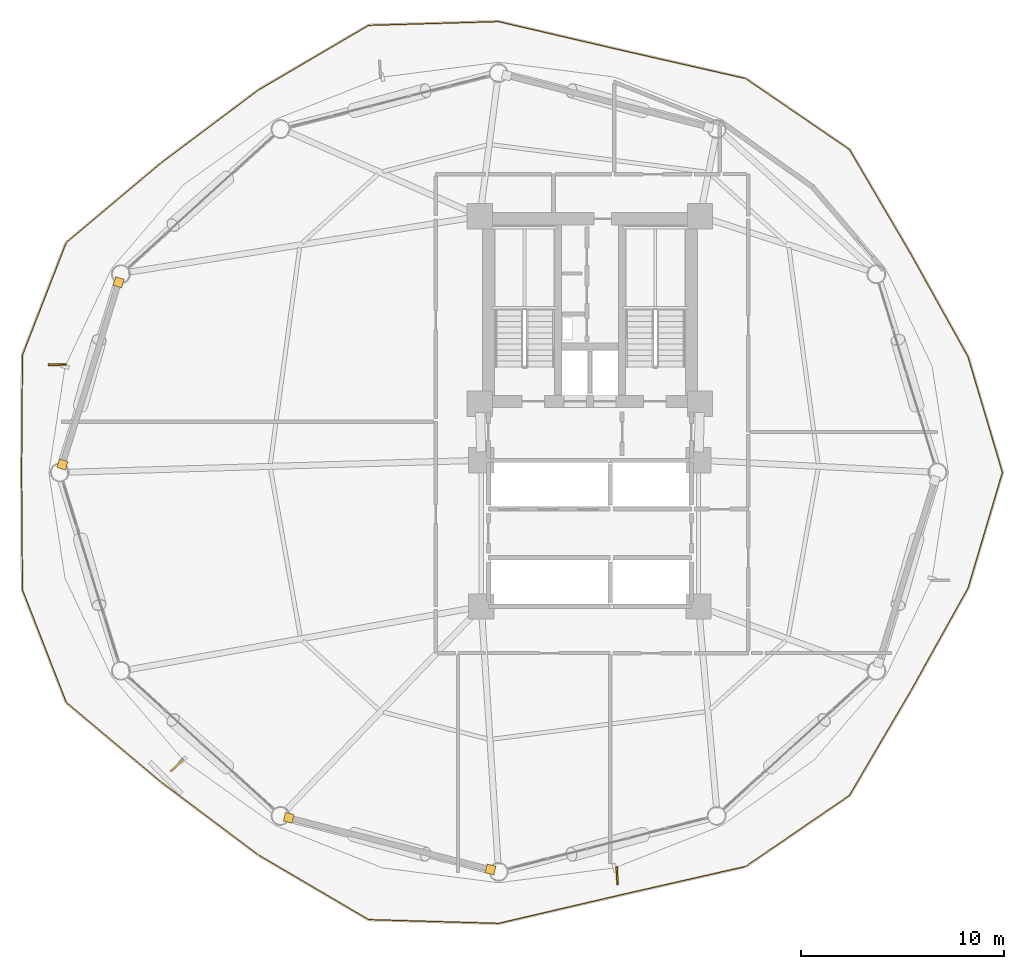
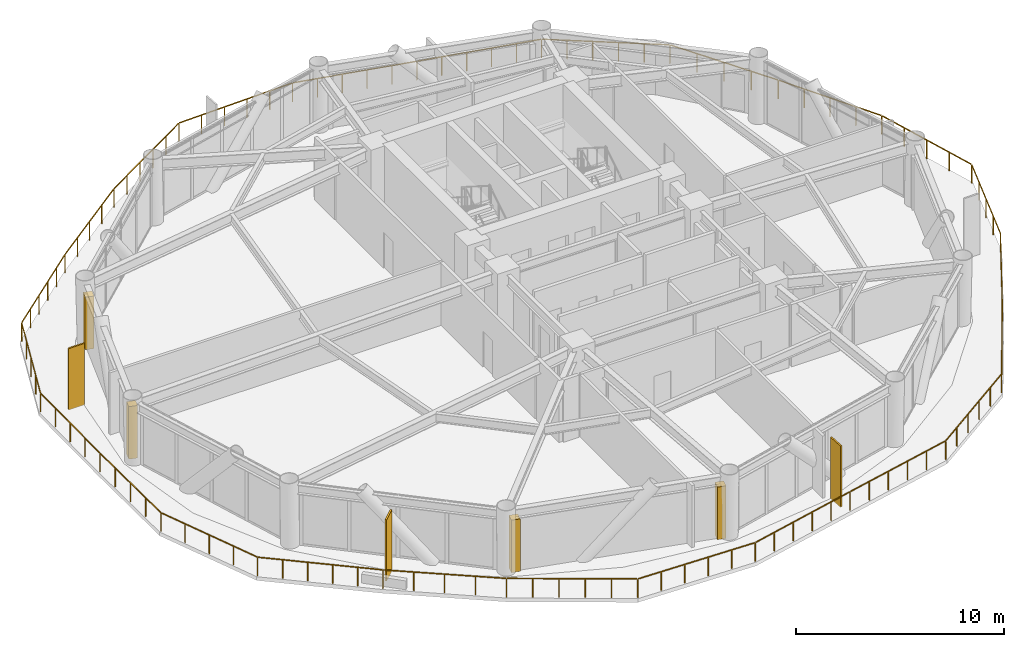
# One storey, part 20 of 22: 4 coverings, 3 shading devices, 1 railing.
"""IFC4 building model written with IfcOpenShell, lengths in metres."""

from ifc_helpers import new_model, si_unit, direction, frame, origin, origin_2d, place, context, subcontext, project, spatial, rectangle, extrude, source, transform, mapped, material, layer, layer_set, type_object, type_shapes, element, save


model = new_model("IFC4")

# Units and contexts
model_context = context("Model", 3, precision=1e-05, world=origin(), true_north=direction((0.0, 1.0)))
body_context = subcontext(model_context, "Body", "Model", "MODEL_VIEW")
ifc_project = project(units=[si_unit("LENGTHUNIT", "METRE"), si_unit("AREAUNIT", "SQUARE_METRE"), si_unit("VOLUMEUNIT", "CUBIC_METRE"), si_unit("PLANEANGLEUNIT", "RADIAN"), si_unit("MASSUNIT", "GRAM", prefix="KILO")], contexts=[model_context])

# Site, building, storey
site_placement = place(None, origin())
site = spatial("IfcSite", under=ifc_project, at=site_placement, CompositionType="ELEMENT")
building_placement = place(site_placement, origin())
building = spatial("IfcBuilding", under=site, at=building_placement, Name="Varnakorn Sky Granary", CompositionType="ELEMENT")
storey_placement = place(building_placement, frame((0.0, 0.0, 66.60009765625)))
storey = spatial("IfcBuildingStorey", under=building, at=storey_placement, Name="L16", CompositionType="ELEMENT", Elevation=66.60009765625)

# Railing
ifc_material = material(Name="Anodised Bronze Aluminium Alloy 6063-T6", Category="aluminium")
railing_type = type_object("IfcRailingType", Name="RL-BAL-1120", PredefinedType="BALUSTRADE", material=ifc_material)
railing_placement = place(storey_placement, frame((23.319091796875, 0.0, 0.0)))
element("IfcRailing", 1, at=railing_placement, inside=storey, type_object=railing_type, Name="Wavy Growing Deck Guard Balustrade L16", PredefinedType="BALUSTRADE", context=body_context, shape_type="SweptSolid", body=[
    extrude(rectangle(XDim=0.048095703125, YDim=0.048095703125, at=origin_2d()), frame((-0.008056640625, 0.02685546875, 1.09619140625), z_axis=(-0.284839639339, 0.958575182164, 0.0), x_axis=(-0.958575182164, -0.284839639339, 0.0)), (0.0, 0.0, 1.0), 5.884765625),
    extrude(rectangle(XDim=0.048095703125, YDim=0.048095703125, at=origin_2d()), frame((-1.705810546875, 5.718994140625, 1.09619140625), z_axis=(-0.486476532326, 0.87369364396, 0.0), x_axis=(-0.87369364396, -0.486476532326, 0.0)), (0.0, 0.0, 1.0), 5.736328125),
    extrude(rectangle(XDim=0.048095703125, YDim=0.048095703125, at=origin_2d()), frame((-4.524169921875, 10.779541015625, 1.09619140625), z_axis=(-0.506111424748, 0.862468101288, 0.0), x_axis=(-0.862468101288, -0.506111424748, 0.0)), (0.0, 0.0, 1.0), 5.922119140625),
    extrude(rectangle(XDim=0.048095703125, YDim=0.048095703125, at=origin_2d()), frame((-7.558837890625, 15.92724609375, 1.09619140625), z_axis=(-0.825340152067, 0.564635841393, 0.0), x_axis=(-0.564635841393, -0.825340152067, 0.0)), (0.0, 0.0, 1.0), 6.134033203125),
    extrude(rectangle(XDim=0.048095703125, YDim=0.048095703125, at=origin_2d()), frame((-12.671875, 19.41259765625, 1.09619140625), z_axis=(-0.975011579965, 0.222154043254, 0.0), x_axis=(-0.222154043254, -0.975011579965, 0.0)), (0.0, 0.0, 1.0), 6.200439453125),
    extrude(rectangle(XDim=0.048095703125, YDim=0.048095703125, at=origin_2d()), frame((-18.77197265625, 20.802734375, 1.09619140625), z_axis=(-0.97390670935, 0.226948719939, 0.0), x_axis=(-0.226948719939, -0.97390670935, 0.0)), (0.0, 0.0, 1.0), 6.18115234375),
    extrude(rectangle(XDim=0.048095703125, YDim=0.048095703125, at=origin_2d()), frame((-24.84716796875, 22.211181640625, 1.09619140625), z_axis=(-0.999587192297, -0.028730558571, 0.0), x_axis=(0.028730558571, -0.999587192297, 0.0)), (0.0, 0.0, 1.0), 6.35107421875),
    extrude(rectangle(XDim=0.048095703125, YDim=0.048095703125, at=origin_2d()), frame((-31.247802734375, 22.013671875, 1.09619140625), z_axis=(-0.862425334081, -0.506184297599, 0.0), x_axis=(0.506184297599, -0.862425334081, 0.0)), (0.0, 0.0, 1.0), 6.251708984375),
    extrude(rectangle(XDim=0.048095703125, YDim=0.048095703125, at=origin_2d()), frame((-36.68603515625, 18.818115234375, 1.09619140625), z_axis=(-0.800049044985, -0.599934601118, 0.0), x_axis=(0.599934601118, -0.800049044985, 0.0)), (0.0, 0.0, 1.0), 5.917236328125),
    extrude(rectangle(XDim=0.048095703125, YDim=0.048095703125, at=origin_2d()), frame((-41.4638671875, 15.2333984375, 1.09619140625), z_axis=(-0.76593486603, -0.642918175976, 0.0), x_axis=(0.642918175976, -0.76593486603, 0.0)), (0.0, 0.0, 1.0), 6.048583984375),
    extrude(rectangle(XDim=0.048095703125, YDim=0.048095703125, at=origin_2d()), frame((-46.12841796875, 11.300537109375, 1.09619140625), z_axis=(-0.362727485557, -0.931895257645, 0.0), x_axis=(0.931895257645, -0.362727485557, 0.0)), (0.0, 0.0, 1.0), 5.892578125),
    extrude(rectangle(XDim=0.048095703125, YDim=0.048095703125, at=origin_2d()), frame((-48.276123046875, 5.755126953125, 1.09619140625), z_axis=(-0.007303081158, -0.999973332147, 0.0), x_axis=(0.999973332147, -0.007303081158, 0.0)), (0.0, 0.0, 1.0), 5.727294921875),
    extrude(rectangle(XDim=0.048095703125, YDim=0.048095703125, at=origin_2d()), frame((-48.31787109375, -0.028076171875, 1.09619140625), z_axis=(0.007303081158, -0.999973332147, 0.0), x_axis=(0.999973332147, 0.007303081158, 0.0)), (0.0, 0.0, 1.0), 5.727294921875),
    extrude(rectangle(XDim=0.048095703125, YDim=0.048095703125, at=origin_2d()), frame((-48.265625, -5.809326171875, 1.09619140625), z_axis=(0.362727485557, -0.931895257645, 0.0), x_axis=(0.931895257645, 0.362727485557, 0.0)), (0.0, 0.0, 1.0), 5.892578125),
    extrude(rectangle(XDim=0.048095703125, YDim=0.048095703125, at=origin_2d()), frame((-46.0966796875, -11.3447265625, 1.09619140625), z_axis=(0.76593486603, -0.642918175976, 0.0), x_axis=(0.642918175976, 0.76593486603, 0.0)), (0.0, 0.0, 1.0), 6.048583984375),
    extrude(rectangle(XDim=0.048095703125, YDim=0.048095703125, at=origin_2d()), frame((-41.419921875, -15.268310546875, 1.09619140625), z_axis=(0.800049044985, -0.599934601118, 0.0), x_axis=(0.599934601118, 0.800049044985, 0.0)), (0.0, 0.0, 1.0), 5.917236328125),
    extrude(rectangle(XDim=0.048095703125, YDim=0.048095703125, at=origin_2d()), frame((-36.639404296875, -18.84912109375, 1.09619140625), z_axis=(0.862425334081, -0.506184297599, 0.0), x_axis=(0.506184297599, 0.862425334081, 0.0)), (0.0, 0.0, 1.0), 6.251708984375),
    extrude(rectangle(XDim=0.048095703125, YDim=0.048095703125, at=origin_2d()), frame((-31.195556640625, -22.028564453125, 1.09619140625), z_axis=(0.999587192297, -0.028730558571, 0.0), x_axis=(0.028730558571, 0.999587192297, 0.0)), (0.0, 0.0, 1.0), 6.35107421875),
    extrude(rectangle(XDim=0.048095703125, YDim=0.048095703125, at=origin_2d()), frame((-24.791748046875, -22.20556640625, 1.09619140625), z_axis=(0.97390670935, 0.226948719939, 0.0), x_axis=(-0.226948719939, 0.97390670935, 0.0)), (0.0, 0.0, 1.0), 6.18115234375),
    extrude(rectangle(XDim=0.048095703125, YDim=0.048095703125, at=origin_2d()), frame((-18.71728515625, -20.790283203125, 1.09619140625), z_axis=(0.975011579965, 0.222154043254, 0.0), x_axis=(-0.222154043254, 0.975011579965, 0.0)), (0.0, 0.0, 1.0), 6.200439453125),
    extrude(rectangle(XDim=0.048095703125, YDim=0.048095703125, at=origin_2d()), frame((-12.621337890625, -19.390625, 1.09619140625), z_axis=(0.825340152067, 0.564635841393, 0.0), x_axis=(-0.564635841393, 0.825340152067, 0.0)), (0.0, 0.0, 1.0), 6.134033203125),
    extrude(rectangle(XDim=0.048095703125, YDim=0.048095703125, at=origin_2d()), frame((-7.521484375, -15.88720703125, 1.09619140625), z_axis=(0.506111424748, 0.862468101288, 0.0), x_axis=(-0.862468101288, 0.506111424748, 0.0)), (0.0, 0.0, 1.0), 5.922119140625),
    extrude(rectangle(XDim=0.048095703125, YDim=0.048095703125, at=origin_2d()), frame((-4.496337890625, -10.73095703125, 1.09619140625), z_axis=(0.486476532326, 0.87369364396, 0.0), x_axis=(-0.87369364396, 0.486476532326, 0.0)), (0.0, 0.0, 1.0), 5.736328125),
    extrude(rectangle(XDim=0.048095703125, YDim=0.048095703125, at=origin_2d()), frame((-1.68408203125, -5.667724609375, 1.09619140625), z_axis=(0.284839639339, 0.958575182164, 0.0), x_axis=(-0.958575182164, 0.284839639339, 0.0)), (0.0, 0.0, 1.0), 5.884765625),
    extrude(rectangle(XDim=0.0419921875, YDim=0.0419921875, at=origin_2d()), origin(), (0.0, 0.0, 1.0), 1.068115234375),
    extrude(rectangle(XDim=0.0419921875, YDim=0.0419921875, at=origin_2d()), frame((-0.423095703125, 1.423583984375, 0.0)), (0.0, 0.0, 1.0), 1.068115234375),
    extrude(rectangle(XDim=0.0419921875, YDim=0.0419921875, at=origin_2d()), frame((-0.84619140625, 2.84716796875, 0.0)), (0.0, 0.0, 1.0), 1.068115234375),
    extrude(rectangle(XDim=0.0419921875, YDim=0.0419921875, at=origin_2d()), frame((-1.26904296875, 4.27099609375, 0.0)), (0.0, 0.0, 1.0), 1.068115234375),
    extrude(rectangle(XDim=0.0419921875, YDim=0.0419921875, at=origin_2d()), frame((-1.692138671875, 5.694580078125, 0.0)), (0.0, 0.0, 1.0), 1.068115234375),
    extrude(rectangle(XDim=0.0419921875, YDim=0.0419921875, at=origin_2d()), frame((-2.396484375, 6.959716796875, 0.0)), (0.0, 0.0, 1.0), 1.068115234375),
    extrude(rectangle(XDim=0.0419921875, YDim=0.0419921875, at=origin_2d()), frame((-3.10107421875, 8.22509765625, 0.0)), (0.0, 0.0, 1.0), 1.068115234375),
    extrude(rectangle(XDim=0.0419921875, YDim=0.0419921875, at=origin_2d()), frame((-3.8056640625, 9.490234375, 0.0)), (0.0, 0.0, 1.0), 1.068115234375),
    extrude(rectangle(XDim=0.0419921875, YDim=0.0419921875, at=origin_2d()), frame((-4.510009765625, 10.75537109375, 0.0)), (0.0, 0.0, 1.0), 1.068115234375),
    extrude(rectangle(XDim=0.0419921875, YDim=0.0419921875, at=origin_2d()), frame((-5.266357421875, 12.04443359375, 0.0)), (0.0, 0.0, 1.0), 1.068115234375),
    extrude(rectangle(XDim=0.0419921875, YDim=0.0419921875, at=origin_2d()), frame((-6.02294921875, 13.33349609375, 0.0)), (0.0, 0.0, 1.0), 1.068115234375),
    extrude(rectangle(XDim=0.0419921875, YDim=0.0419921875, at=origin_2d()), frame((-6.779296875, 14.622314453125, 0.0)), (0.0, 0.0, 1.0), 1.068115234375),
    extrude(rectangle(XDim=0.0419921875, YDim=0.0419921875, at=origin_2d()), frame((-7.53564453125, 15.911376953125, 0.0)), (0.0, 0.0, 1.0), 1.068115234375),
    extrude(rectangle(XDim=0.0419921875, YDim=0.0419921875, at=origin_2d()), frame((-8.557373046875, 16.6103515625, 0.0)), (0.0, 0.0, 1.0), 1.068115234375),
    extrude(rectangle(XDim=0.0419921875, YDim=0.0419921875, at=origin_2d()), frame((-9.5791015625, 17.309326171875, 0.0)), (0.0, 0.0, 1.0), 1.068115234375),
    extrude(rectangle(XDim=0.0419921875, YDim=0.0419921875, at=origin_2d()), frame((-10.60107421875, 18.008544921875, 0.0)), (0.0, 0.0, 1.0), 1.068115234375),
    extrude(rectangle(XDim=0.0419921875, YDim=0.0419921875, at=origin_2d()), frame((-11.622802734375, 18.70751953125, 0.0)), (0.0, 0.0, 1.0), 1.068115234375),
    extrude(rectangle(XDim=0.0419921875, YDim=0.0419921875, at=origin_2d()), frame((-12.64453125, 19.406494140625, 0.0)), (0.0, 0.0, 1.0), 1.068115234375),
    extrude(rectangle(XDim=0.0419921875, YDim=0.0419921875, at=origin_2d()), frame((-13.864501953125, 19.6845703125, 0.0)), (0.0, 0.0, 1.0), 1.068115234375),
    extrude(rectangle(XDim=0.0419921875, YDim=0.0419921875, at=origin_2d()), frame((-15.08447265625, 19.96240234375, 0.0)), (0.0, 0.0, 1.0), 1.068115234375),
    extrude(rectangle(XDim=0.0419921875, YDim=0.0419921875, at=origin_2d()), frame((-16.3046875, 20.240478515625, 0.0)), (0.0, 0.0, 1.0), 1.068115234375),
    extrude(rectangle(XDim=0.0419921875, YDim=0.0419921875, at=origin_2d()), frame((-17.524658203125, 20.518310546875, 0.0)), (0.0, 0.0, 1.0), 1.068115234375),
    extrude(rectangle(XDim=0.0419921875, YDim=0.0419921875, at=origin_2d()), frame((-18.74462890625, 20.79638671875, 0.0)), (0.0, 0.0, 1.0), 1.068115234375),
    extrude(rectangle(XDim=0.0419921875, YDim=0.0419921875, at=origin_2d()), frame((-19.95947265625, 21.07958984375, 0.0)), (0.0, 0.0, 1.0), 1.068115234375),
    extrude(rectangle(XDim=0.0419921875, YDim=0.0419921875, at=origin_2d()), frame((-21.17431640625, 21.362548828125, 0.0)), (0.0, 0.0, 1.0), 1.068115234375),
    extrude(rectangle(XDim=0.0419921875, YDim=0.0419921875, at=origin_2d()), frame((-22.389404296875, 21.645751953125, 0.0)), (0.0, 0.0, 1.0), 1.068115234375),
    extrude(rectangle(XDim=0.0419921875, YDim=0.0419921875, at=origin_2d()), frame((-23.604248046875, 21.9287109375, 0.0)), (0.0, 0.0, 1.0), 1.068115234375),
    extrude(rectangle(XDim=0.0419921875, YDim=0.0419921875, at=origin_2d()), frame((-24.819091796875, 22.2119140625, 0.0)), (0.0, 0.0, 1.0), 1.068115234375),
    extrude(rectangle(XDim=0.0419921875, YDim=0.0419921875, at=origin_2d()), frame((-26.10009765625, 22.175048828125, 0.0)), (0.0, 0.0, 1.0), 1.068115234375),
    extrude(rectangle(XDim=0.0419921875, YDim=0.0419921875, at=origin_2d()), frame((-27.380859375, 22.13818359375, 0.0)), (0.0, 0.0, 1.0), 1.068115234375),
    extrude(rectangle(XDim=0.0419921875, YDim=0.0419921875, at=origin_2d()), frame((-28.661865234375, 22.1015625, 0.0)), (0.0, 0.0, 1.0), 1.068115234375),
    extrude(rectangle(XDim=0.0419921875, YDim=0.0419921875, at=origin_2d()), frame((-29.942626953125, 22.064697265625, 0.0)), (0.0, 0.0, 1.0), 1.068115234375),
    extrude(rectangle(XDim=0.0419921875, YDim=0.0419921875, at=origin_2d()), frame((-31.2236328125, 22.02783203125, 0.0)), (0.0, 0.0, 1.0), 1.068115234375),
    extrude(rectangle(XDim=0.0419921875, YDim=0.0419921875, at=origin_2d()), frame((-32.3115234375, 21.38916015625, 0.0)), (0.0, 0.0, 1.0), 1.068115234375),
    extrude(rectangle(XDim=0.0419921875, YDim=0.0419921875, at=origin_2d()), frame((-33.399658203125, 20.750732421875, 0.0)), (0.0, 0.0, 1.0), 1.068115234375),
    extrude(rectangle(XDim=0.0419921875, YDim=0.0419921875, at=origin_2d()), frame((-34.487548828125, 20.112060546875, 0.0)), (0.0, 0.0, 1.0), 1.068115234375),
    extrude(rectangle(XDim=0.0419921875, YDim=0.0419921875, at=origin_2d()), frame((-35.57568359375, 19.4736328125, 0.0)), (0.0, 0.0, 1.0), 1.068115234375),
    extrude(rectangle(XDim=0.0419921875, YDim=0.0419921875, at=origin_2d()), frame((-36.66357421875, 18.8349609375, 0.0)), (0.0, 0.0, 1.0), 1.068115234375),
    extrude(rectangle(XDim=0.0419921875, YDim=0.0419921875, at=origin_2d()), frame((-37.8583984375, 17.93896484375, 0.0)), (0.0, 0.0, 1.0), 1.068115234375),
    extrude(rectangle(XDim=0.0419921875, YDim=0.0419921875, at=origin_2d()), frame((-39.052978515625, 17.043212890625, 0.0)), (0.0, 0.0, 1.0), 1.068115234375),
    extrude(rectangle(XDim=0.0419921875, YDim=0.0419921875, at=origin_2d()), frame((-40.24755859375, 16.1474609375, 0.0)), (0.0, 0.0, 1.0), 1.068115234375),
    extrude(rectangle(XDim=0.0419921875, YDim=0.0419921875, at=origin_2d()), frame((-41.4423828125, 15.25146484375, 0.0)), (0.0, 0.0, 1.0), 1.068115234375),
    extrude(rectangle(XDim=0.0419921875, YDim=0.0419921875, at=origin_2d()), frame((-42.37744140625, 14.466552734375, 0.0)), (0.0, 0.0, 1.0), 1.068115234375),
    extrude(rectangle(XDim=0.0419921875, YDim=0.0419921875, at=origin_2d()), frame((-43.312744140625, 13.681640625, 0.0)), (0.0, 0.0, 1.0), 1.068115234375),
    extrude(rectangle(XDim=0.0419921875, YDim=0.0419921875, at=origin_2d()), frame((-44.247802734375, 12.896484375, 0.0)), (0.0, 0.0, 1.0), 1.068115234375),
    extrude(rectangle(XDim=0.0419921875, YDim=0.0419921875, at=origin_2d()), frame((-45.18310546875, 12.111572265625, 0.0)), (0.0, 0.0, 1.0), 1.068115234375),
    extrude(rectangle(XDim=0.0419921875, YDim=0.0419921875, at=origin_2d()), frame((-46.1181640625, 11.32666015625, 0.0)), (0.0, 0.0, 1.0), 1.068115234375),
    extrude(rectangle(XDim=0.0419921875, YDim=0.0419921875, at=origin_2d()), frame((-46.65771484375, 9.94091796875, 0.0)), (0.0, 0.0, 1.0), 1.068115234375),
    extrude(rectangle(XDim=0.0419921875, YDim=0.0419921875, at=origin_2d()), frame((-47.197021484375, 8.554931640625, 0.0)), (0.0, 0.0, 1.0), 1.068115234375),
    extrude(rectangle(XDim=0.0419921875, YDim=0.0419921875, at=origin_2d()), frame((-47.736328125, 7.1689453125, 0.0)), (0.0, 0.0, 1.0), 1.068115234375),
    extrude(rectangle(XDim=0.0419921875, YDim=0.0419921875, at=origin_2d()), frame((-48.27587890625, 5.783203125, 0.0)), (0.0, 0.0, 1.0), 1.068115234375),
    extrude(rectangle(XDim=0.0419921875, YDim=0.0419921875, at=origin_2d()), frame((-48.286376953125, 4.33740234375, 0.0)), (0.0, 0.0, 1.0), 1.068115234375),
    extrude(rectangle(XDim=0.0419921875, YDim=0.0419921875, at=origin_2d()), frame((-48.296875, 2.8916015625, 0.0)), (0.0, 0.0, 1.0), 1.068115234375),
    extrude(rectangle(XDim=0.0419921875, YDim=0.0419921875, at=origin_2d()), frame((-48.3076171875, 1.44580078125, 0.0)), (0.0, 0.0, 1.0), 1.068115234375),
    extrude(rectangle(XDim=0.0419921875, YDim=0.0419921875, at=origin_2d()), frame((-48.318115234375, 0.0, 0.0)), (0.0, 0.0, 1.0), 1.068115234375),
    extrude(rectangle(XDim=0.0419921875, YDim=0.0419921875, at=origin_2d()), frame((-48.3076171875, -1.44580078125, 0.0)), (0.0, 0.0, 1.0), 1.068115234375),
    extrude(rectangle(XDim=0.0419921875, YDim=0.0419921875, at=origin_2d()), frame((-48.296875, -2.8916015625, 0.0)), (0.0, 0.0, 1.0), 1.068115234375),
    extrude(rectangle(XDim=0.0419921875, YDim=0.0419921875, at=origin_2d()), frame((-48.286376953125, -4.33740234375, 0.0)), (0.0, 0.0, 1.0), 1.068115234375),
    extrude(rectangle(XDim=0.0419921875, YDim=0.0419921875, at=origin_2d()), frame((-48.27587890625, -5.783203125, 0.0)), (0.0, 0.0, 1.0), 1.068115234375),
    extrude(rectangle(XDim=0.0419921875, YDim=0.0419921875, at=origin_2d()), frame((-47.736328125, -7.1689453125, 0.0)), (0.0, 0.0, 1.0), 1.068115234375),
    extrude(rectangle(XDim=0.0419921875, YDim=0.0419921875, at=origin_2d()), frame((-47.197021484375, -8.554931640625, 0.0)), (0.0, 0.0, 1.0), 1.068115234375),
    extrude(rectangle(XDim=0.0419921875, YDim=0.0419921875, at=origin_2d()), frame((-46.65771484375, -9.94091796875, 0.0)), (0.0, 0.0, 1.0), 1.068115234375),
    extrude(rectangle(XDim=0.0419921875, YDim=0.0419921875, at=origin_2d()), frame((-46.1181640625, -11.32666015625, 0.0)), (0.0, 0.0, 1.0), 1.068115234375),
    extrude(rectangle(XDim=0.0419921875, YDim=0.0419921875, at=origin_2d()), frame((-45.18310546875, -12.111572265625, 0.0)), (0.0, 0.0, 1.0), 1.068115234375),
    extrude(rectangle(XDim=0.0419921875, YDim=0.0419921875, at=origin_2d()), frame((-44.247802734375, -12.896484375, 0.0)), (0.0, 0.0, 1.0), 1.068115234375),
    extrude(rectangle(XDim=0.0419921875, YDim=0.0419921875, at=origin_2d()), frame((-43.312744140625, -13.681640625, 0.0)), (0.0, 0.0, 1.0), 1.068115234375),
    extrude(rectangle(XDim=0.0419921875, YDim=0.0419921875, at=origin_2d()), frame((-42.37744140625, -14.466552734375, 0.0)), (0.0, 0.0, 1.0), 1.068115234375),
    extrude(rectangle(XDim=0.0419921875, YDim=0.0419921875, at=origin_2d()), frame((-41.4423828125, -15.25146484375, 0.0)), (0.0, 0.0, 1.0), 1.068115234375),
    extrude(rectangle(XDim=0.0419921875, YDim=0.0419921875, at=origin_2d()), frame((-40.24755859375, -16.1474609375, 0.0)), (0.0, 0.0, 1.0), 1.068115234375),
    extrude(rectangle(XDim=0.0419921875, YDim=0.0419921875, at=origin_2d()), frame((-39.052978515625, -17.043212890625, 0.0)), (0.0, 0.0, 1.0), 1.068115234375),
    extrude(rectangle(XDim=0.0419921875, YDim=0.0419921875, at=origin_2d()), frame((-37.8583984375, -17.93896484375, 0.0)), (0.0, 0.0, 1.0), 1.068115234375),
    extrude(rectangle(XDim=0.0419921875, YDim=0.0419921875, at=origin_2d()), frame((-36.66357421875, -18.8349609375, 0.0)), (0.0, 0.0, 1.0), 1.068115234375),
    extrude(rectangle(XDim=0.0419921875, YDim=0.0419921875, at=origin_2d()), frame((-35.57568359375, -19.4736328125, 0.0)), (0.0, 0.0, 1.0), 1.068115234375),
    extrude(rectangle(XDim=0.0419921875, YDim=0.0419921875, at=origin_2d()), frame((-34.487548828125, -20.112060546875, 0.0)), (0.0, 0.0, 1.0), 1.068115234375),
    extrude(rectangle(XDim=0.0419921875, YDim=0.0419921875, at=origin_2d()), frame((-33.399658203125, -20.750732421875, 0.0)), (0.0, 0.0, 1.0), 1.068115234375),
    extrude(rectangle(XDim=0.0419921875, YDim=0.0419921875, at=origin_2d()), frame((-32.3115234375, -21.38916015625, 0.0)), (0.0, 0.0, 1.0), 1.068115234375),
    extrude(rectangle(XDim=0.0419921875, YDim=0.0419921875, at=origin_2d()), frame((-31.2236328125, -22.02783203125, 0.0)), (0.0, 0.0, 1.0), 1.068115234375),
    extrude(rectangle(XDim=0.0419921875, YDim=0.0419921875, at=origin_2d()), frame((-29.942626953125, -22.064697265625, 0.0)), (0.0, 0.0, 1.0), 1.068115234375),
    extrude(rectangle(XDim=0.0419921875, YDim=0.0419921875, at=origin_2d()), frame((-28.661865234375, -22.1015625, 0.0)), (0.0, 0.0, 1.0), 1.068115234375),
    extrude(rectangle(XDim=0.0419921875, YDim=0.0419921875, at=origin_2d()), frame((-27.380859375, -22.13818359375, 0.0)), (0.0, 0.0, 1.0), 1.068115234375),
    extrude(rectangle(XDim=0.0419921875, YDim=0.0419921875, at=origin_2d()), frame((-26.10009765625, -22.175048828125, 0.0)), (0.0, 0.0, 1.0), 1.068115234375),
    extrude(rectangle(XDim=0.0419921875, YDim=0.0419921875, at=origin_2d()), frame((-24.819091796875, -22.2119140625, 0.0)), (0.0, 0.0, 1.0), 1.068115234375),
    extrude(rectangle(XDim=0.0419921875, YDim=0.0419921875, at=origin_2d()), frame((-23.604248046875, -21.9287109375, 0.0)), (0.0, 0.0, 1.0), 1.068115234375),
    extrude(rectangle(XDim=0.0419921875, YDim=0.0419921875, at=origin_2d()), frame((-22.389404296875, -21.645751953125, 0.0)), (0.0, 0.0, 1.0), 1.068115234375),
    extrude(rectangle(XDim=0.0419921875, YDim=0.0419921875, at=origin_2d()), frame((-21.17431640625, -21.362548828125, 0.0)), (0.0, 0.0, 1.0), 1.068115234375),
    extrude(rectangle(XDim=0.0419921875, YDim=0.0419921875, at=origin_2d()), frame((-19.95947265625, -21.07958984375, 0.0)), (0.0, 0.0, 1.0), 1.068115234375),
    extrude(rectangle(XDim=0.0419921875, YDim=0.0419921875, at=origin_2d()), frame((-18.74462890625, -20.79638671875, 0.0)), (0.0, 0.0, 1.0), 1.068115234375),
    extrude(rectangle(XDim=0.0419921875, YDim=0.0419921875, at=origin_2d()), frame((-17.524658203125, -20.518310546875, 0.0)), (0.0, 0.0, 1.0), 1.068115234375),
    extrude(rectangle(XDim=0.0419921875, YDim=0.0419921875, at=origin_2d()), frame((-16.3046875, -20.240478515625, 0.0)), (0.0, 0.0, 1.0), 1.068115234375),
    extrude(rectangle(XDim=0.0419921875, YDim=0.0419921875, at=origin_2d()), frame((-15.08447265625, -19.96240234375, 0.0)), (0.0, 0.0, 1.0), 1.068115234375),
    extrude(rectangle(XDim=0.0419921875, YDim=0.0419921875, at=origin_2d()), frame((-13.864501953125, -19.6845703125, 0.0)), (0.0, 0.0, 1.0), 1.068115234375),
    extrude(rectangle(XDim=0.0419921875, YDim=0.0419921875, at=origin_2d()), frame((-12.64453125, -19.406494140625, 0.0)), (0.0, 0.0, 1.0), 1.068115234375),
    extrude(rectangle(XDim=0.0419921875, YDim=0.0419921875, at=origin_2d()), frame((-11.622802734375, -18.70751953125, 0.0)), (0.0, 0.0, 1.0), 1.068115234375),
    extrude(rectangle(XDim=0.0419921875, YDim=0.0419921875, at=origin_2d()), frame((-10.60107421875, -18.008544921875, 0.0)), (0.0, 0.0, 1.0), 1.068115234375),
    extrude(rectangle(XDim=0.0419921875, YDim=0.0419921875, at=origin_2d()), frame((-9.5791015625, -17.309326171875, 0.0)), (0.0, 0.0, 1.0), 1.068115234375),
    extrude(rectangle(XDim=0.0419921875, YDim=0.0419921875, at=origin_2d()), frame((-8.557373046875, -16.6103515625, 0.0)), (0.0, 0.0, 1.0), 1.068115234375),
    extrude(rectangle(XDim=0.0419921875, YDim=0.0419921875, at=origin_2d()), frame((-7.53564453125, -15.911376953125, 0.0)), (0.0, 0.0, 1.0), 1.068115234375),
    extrude(rectangle(XDim=0.0419921875, YDim=0.0419921875, at=origin_2d()), frame((-6.779296875, -14.622314453125, 0.0)), (0.0, 0.0, 1.0), 1.068115234375),
    extrude(rectangle(XDim=0.0419921875, YDim=0.0419921875, at=origin_2d()), frame((-6.02294921875, -13.33349609375, 0.0)), (0.0, 0.0, 1.0), 1.068115234375),
    extrude(rectangle(XDim=0.0419921875, YDim=0.0419921875, at=origin_2d()), frame((-5.266357421875, -12.04443359375, 0.0)), (0.0, 0.0, 1.0), 1.068115234375),
    extrude(rectangle(XDim=0.0419921875, YDim=0.0419921875, at=origin_2d()), frame((-4.510009765625, -10.75537109375, 0.0)), (0.0, 0.0, 1.0), 1.068115234375),
    extrude(rectangle(XDim=0.0419921875, YDim=0.0419921875, at=origin_2d()), frame((-3.8056640625, -9.490234375, 0.0)), (0.0, 0.0, 1.0), 1.068115234375),
    extrude(rectangle(XDim=0.0419921875, YDim=0.0419921875, at=origin_2d()), frame((-3.10107421875, -8.22509765625, 0.0)), (0.0, 0.0, 1.0), 1.068115234375),
    extrude(rectangle(XDim=0.0419921875, YDim=0.0419921875, at=origin_2d()), frame((-2.396484375, -6.959716796875, 0.0)), (0.0, 0.0, 1.0), 1.068115234375),
    extrude(rectangle(XDim=0.0419921875, YDim=0.0419921875, at=origin_2d()), frame((-1.692138671875, -5.694580078125, 0.0)), (0.0, 0.0, 1.0), 1.068115234375),
    extrude(rectangle(XDim=0.0419921875, YDim=0.0419921875, at=origin_2d()), frame((-1.26904296875, -4.27099609375, 0.0)), (0.0, 0.0, 1.0), 1.068115234375),
    extrude(rectangle(XDim=0.0419921875, YDim=0.0419921875, at=origin_2d()), frame((-0.84619140625, -2.84716796875, 0.0)), (0.0, 0.0, 1.0), 1.068115234375),
    extrude(rectangle(XDim=0.0419921875, YDim=0.0419921875, at=origin_2d()), frame((-0.423095703125, -1.423583984375, 0.0)), (0.0, 0.0, 1.0), 1.068115234375),
])

# Shading devices
shading_device_type = type_object("IfcShadingDeviceType", Name="SH-FIN-01", PredefinedType="USERDEFINED", material=ifc_material)
shared_shape_1 = source(origin(), body_context, "Body", "SweptSolid", [
    extrude(rectangle(XDim=0.0849609375, YDim=0.8798828125, at=origin_2d()), origin(), (0.0, 0.0, 1.0), 3.60009765625),
])
type_shapes(shading_device_type, [shared_shape_1])
for number, where, z_axis, x_axis, name in (
    (2, (-23.249755859375, 5.31201171875, -0.0400390625), (0.0, 0.0, 1.0), (0.00827704452, -0.99996574468, 0.0), "Bronze Solar-Tracking Vertical Blade FIN L16-06"),
    (3, (-17.341064453125, -14.43017578125, -0.0400390625), (0.0, 0.0, 1.0), (0.692390774577, -0.721522706005, 0.0), "Bronze Solar-Tracking Vertical Blade FIN L16-08"),
    (4, (4.339111328125, -19.86279296875, -0.0400390625), (0.0, 0.0, 1.0), (0.998694954541, 0.051072377806, 0.0), "Bronze Solar-Tracking Vertical Blade FIN L16-10"),
):
    element("IfcShadingDevice", number, at=place(storey_placement, frame(where, z_axis=z_axis, x_axis=x_axis)), inside=storey, type_object=shading_device_type, Name=name, ObjectType="FIN", PredefinedType="USERDEFINED", context=body_context, shape_type="MappedRepresentation", body=[
        mapped(shared_shape_1, transform((0.0, 0.0, 0.0), x_axis=(1.0, 0.0, 0.0), y_axis=(0.0, 1.0, 0.0), z_axis=(0.0, 0.0, 1.0), scale=1.0)),
    ])

# Coverings
ifc_layer = layer(ifc_material, 0.050048828125, Name="Anodised Bronze Aluminium Alloy 6063-T6")
ifc_layer_set = layer_set([ifc_layer], Name="Anodised Bronze Aluminium Alloy 6063-T6")
covering_type = type_object("IfcCoveringType", Name="CV-CLAD-50", PredefinedType="CLADDING", material=ifc_layer_set)
shared_shape_2 = source(origin(), body_context, "Body", "SweptSolid", [
    extrude(rectangle(XDim=0.43994140625, YDim=0.43994140625, at=origin_2d()), origin(), (0.0, 0.0, 1.0), 3.080078125),
])
type_shapes(covering_type, [shared_shape_2])
for number, where, z_axis, x_axis, name in (
    (5, (-22.987548828125, 0.393798828125, -0.02001953125), (0.0, 0.0, 1.0), (0.294707522925, 0.955587503022, 0.0), "Bronze Corner Pilaster Closure L16-P06-A"),
    (6, (-20.218505859375, 9.369873046875, -0.02001953125), (0.0, 0.0, 1.0), (0.294707522925, 0.955587503022, 0.0), "Bronze Corner Pilaster Closure L16-P06-B"),
    (7, (-1.899169921875, -19.559814453125, -0.02001953125), (0.0, 0.0, 1.0), (-0.968713242072, 0.248182704141, 0.0), "Bronze Corner Pilaster Closure L16-P09-A"),
    (8, (-11.837890625, -17.01318359375, -0.02001953125), (0.0, 0.0, 1.0), (-0.968713242072, 0.248182704141, 0.0), "Bronze Corner Pilaster Closure L16-P09-B"),
):
    element("IfcCovering", number, at=place(storey_placement, frame(where, z_axis=z_axis, x_axis=x_axis)), inside=storey, type_object=covering_type, Name=name, PredefinedType="CLADDING", context=body_context, shape_type="MappedRepresentation", body=[
        mapped(shared_shape_2, transform((0.0, 0.0, 0.0), x_axis=(1.0, 0.0, 0.0), y_axis=(0.0, 1.0, 0.0), z_axis=(0.0, 0.0, 1.0), scale=1.0)),
    ])

save(model, "model.ifc")
